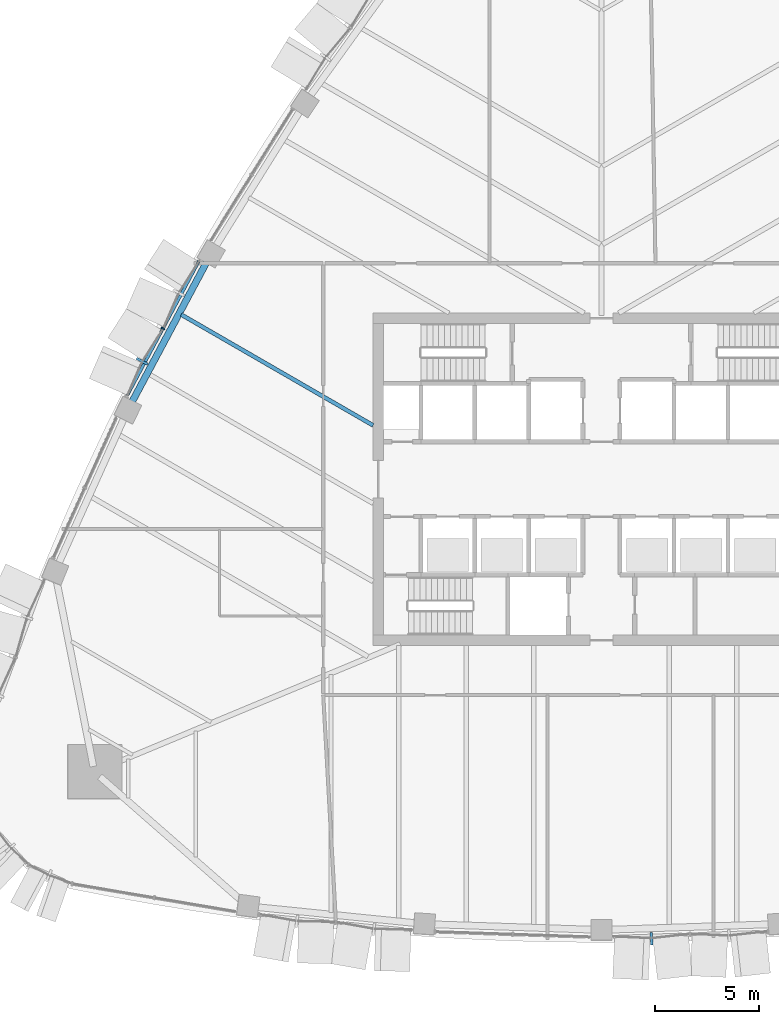
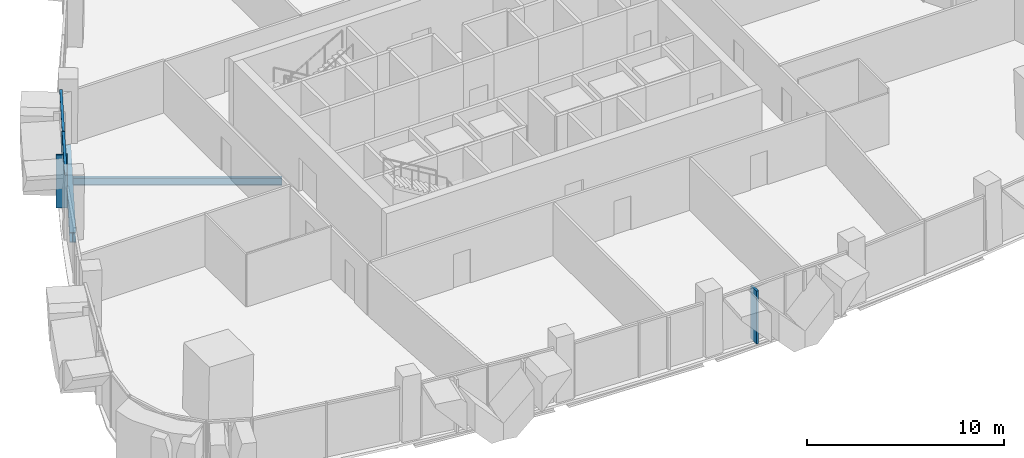
# One storey, part 3 of 17: 5 members, 2 beams, 2 elements without a shape of their own.
"""IFC4 building model written with IfcOpenShell, lengths in metres."""

from ifc_helpers import new_model, si_unit, direction, frame, origin, origin_2d, place, context, subcontext, project, spatial, rectangle, i_section, extrude, material, layer, layer_set, material_profile, profile_set, type_object, element, aggregate, save


model = new_model("IFC4")

# Units and contexts
model_context = context("Model", 3, precision=1e-05, world=origin(), true_north=direction((0.0, 1.0)))
body_context = subcontext(model_context, "Body", "Model", "MODEL_VIEW")
ifc_project = project(units=[si_unit("LENGTHUNIT", "METRE"), si_unit("AREAUNIT", "SQUARE_METRE"), si_unit("VOLUMEUNIT", "CUBIC_METRE"), si_unit("PLANEANGLEUNIT", "RADIAN"), si_unit("MASSUNIT", "GRAM", prefix="KILO")], contexts=[model_context])

# Site, building, storey
site_placement = place(None, origin())
site = spatial("IfcSite", under=ifc_project, at=site_placement, CompositionType="ELEMENT")
building_placement = place(site_placement, origin())
building = spatial("IfcBuilding", under=site, at=building_placement, Name="Sierra Prisma Convention Tower", CompositionType="ELEMENT")
storey_placement = place(building_placement, frame((0.0, 0.0, 149.800048828125)))
storey = spatial("IfcBuildingStorey", under=building, at=storey_placement, Name="L32", CompositionType="ELEMENT", Elevation=149.800048828125)

# Curtain wall, member
ifc_material_1 = material(Name="Aluminium and glass curtain wall", Category="aluminium")
ifc_layer = layer(ifc_material_1, 0.179931640625)
ifc_layer_set = layer_set([ifc_layer], Name="CW-2 Faceted crystal curtain wall")
curtain_wall_type = type_object("IfcCurtainWallType", Name="CW-2 Faceted crystal curtain wall", PredefinedType="NOTDEFINED", material=ifc_layer_set)
curtain_wall_1_placement = place(storey_placement, origin())
curtain_wall_1 = element("IfcCurtainWall", 1, at=curtain_wall_1_placement, inside=storey, type_object=curtain_wall_type, Name="CW-2 S4 L32", PredefinedType="NOTDEFINED")
ifc_material_2 = material(Name="Aluminium 6063-T6 bronze anodised", Category="aluminium")
ifc_material_profile_1 = material_profile(ifc_material_2, rectangle(XDim=0.1201171875, YDim=0.60009765625, at=origin_2d()), Name="ALU RIDGE BLADE 120x600")
ifc_profile_set_1 = profile_set([ifc_material_profile_1], Name="Aluminium 6063-T6 bronze anodised")
member_type_1 = type_object("IfcMemberType", Name="CW hip bronze", PredefinedType="MULLION", material=ifc_profile_set_1)
member_1_placement = place(storey_placement, frame((2.40869140625, -22.125, 0.0), z_axis=(0.0, 0.0, 1.0), x_axis=(0.999435932187, 0.033582993519, 0.0)))
member_1 = element("IfcMember", 2, at=member_1_placement, type_object=member_type_1, Name="CW-2 ridge S4.1", PredefinedType="MULLION", context=body_context, shape_type="SweptSolid", body=[
    extrude(rectangle(XDim=0.1201171875, YDim=0.60009765625, at=origin_2d()), origin(), (0.0, 0.0, 1.0), 3.280029296875),
])
aggregate(curtain_wall_1, [member_1])

# Curtain wall, members
curtain_wall_2_placement = place(storey_placement, origin())
curtain_wall_2 = element("IfcCurtainWall", 3, at=curtain_wall_2_placement, inside=storey, type_object=curtain_wall_type, Name="CW-2 NW4 L32", PredefinedType="NOTDEFINED")
member_2_placement = place(storey_placement, frame((-22.12548828125, 5.676513671875, 0.0), z_axis=(0.0, 0.0, 1.0), x_axis=(-0.470634240571, -0.882328403488, 0.0)))
member_2 = element("IfcMember", 4, at=member_2_placement, type_object=member_type_1, Name="CW-2 ridge NW4.2", PredefinedType="MULLION", context=body_context, shape_type="SweptSolid", body=[
    extrude(rectangle(XDim=0.1201171875, YDim=0.60009765625, at=origin_2d()), origin(), (0.0, 0.0, 1.0), 3.280029296875),
])
ifc_material_3 = material(Name="Aluminium 6063-T6 bronze anodised", Category="aluminium")
ifc_material_profile_2 = material_profile(ifc_material_3, rectangle(XDim=0.179931640625, YDim=0.070068359375, at=origin_2d()), Name="ALU MULLION 70x180")
ifc_profile_set_2 = profile_set([ifc_material_profile_2], Name="Aluminium 6063-T6 bronze anodised")
member_type_2 = type_object("IfcMemberType", Name="CW mullion bronze", PredefinedType="MULLION", material=ifc_profile_set_2)
member_3_placement = place(storey_placement, frame((-21.117919921875, 7.258544921875, 0.0), z_axis=(0.0, 0.0, 1.0), x_axis=(0.882328403488, -0.470634240571, 0.0)))
member_3 = element("IfcMember", 5, at=member_3_placement, type_object=member_type_2, Name="CW-1 mullion NW4.2", PredefinedType="MULLION", context=body_context, shape_type="SweptSolid", body=[
    extrude(rectangle(XDim=0.179931640625, YDim=0.070068359375, at=origin_2d()), origin(), (0.0, 0.0, 1.0), 3.39990234375),
])
ifc_material_4 = material(Name="Aluminium 6063-T6 bronze anodised", Category="aluminium")
ifc_material_profile_3 = material_profile(ifc_material_4, rectangle(XDim=0.139892578125, YDim=0.1201171875, at=origin_2d()), Name="ALU TRANSOM 120x140")
ifc_profile_set_3 = profile_set([ifc_material_profile_3], Name="Aluminium 6063-T6 bronze anodised")
member_type_3 = type_object("IfcMemberType", Name="CW transom bronze", PredefinedType="USERDEFINED", material=ifc_profile_set_3)
member_4_placement = place(storey_placement, frame((-19.3740234375, 10.52783203125, 3.33984375), z_axis=(-0.470633118815, -0.882329001832, 0.0), x_axis=(0.882329001832, -0.470633118815, 0.0)))
member_4 = element("IfcMember", 6, at=member_4_placement, type_object=member_type_3, Name="CW-1 transom NW4.1", ObjectType="TRANSOM", PredefinedType="USERDEFINED", context=body_context, shape_type="SweptSolid", body=[
    extrude(rectangle(XDim=0.139892578125, YDim=0.1201171875, at=origin_2d()), origin(), (0.0, 0.0, 1.0), 3.670166015625),
])
member_5_placement = place(storey_placement, frame((-21.13427734375, 7.227783203125, 3.33984375), z_axis=(-0.470605497318, -0.882343734547, 0.0), x_axis=(0.882343734547, -0.470605497318, 0.0)))
member_5 = element("IfcMember", 7, at=member_5_placement, type_object=member_type_3, Name="CW-1 transom NW4.2", ObjectType="TRANSOM", PredefinedType="USERDEFINED", context=body_context, shape_type="SweptSolid", body=[
    extrude(rectangle(XDim=0.139892578125, YDim=0.1201171875, at=origin_2d()), origin(), (0.0, 0.0, 1.0), 3.67041015625),
])
aggregate(curtain_wall_2, [member_3, member_4, member_5, member_2])

# Beams
ifc_material_5 = material(Name="Steel ASTM A992 Gr 50", Category="steel")
ifc_material_profile_4 = material_profile(ifc_material_5, i_section(OverallWidth=0.18994140625, OverallDepth=0.45703125, WebThickness=0.009033203125, FlangeThickness=0.014404296875, at=origin_2d()), Name="W460x74")
ifc_profile_set_4 = profile_set([ifc_material_profile_4], Name="Steel ASTM A992 Gr 50")
beam_type_1 = type_object("IfcBeamType", Name="Floor joist W460x74", PredefinedType="JOIST", material=ifc_profile_set_4)
beam_1_placement = place(storey_placement, frame((-20.23828125, 7.9248046875, -0.378662109375), z_axis=(0.866024751559, -0.500001129686, 0.0), x_axis=(0.500001129686, 0.866024751559, 0.0)))
element("IfcBeam", 8, at=beam_1_placement, inside=storey, type_object=beam_type_1, Name="Floor joist L32 NW09", PredefinedType="JOIST", context=body_context, shape_type="SweptSolid", body=[
    extrude(i_section(OverallWidth=0.18994140625, OverallDepth=0.45703125, WebThickness=0.009033203125, FlangeThickness=0.014404296875, at=origin_2d()), origin(), (0.0, 0.0, 1.0), 10.66748046875),
])
ifc_material_6 = material(Name="Steel ASTM A992 Gr 50", Category="steel")
ifc_material_profile_5 = material_profile(ifc_material_6, i_section(OverallWidth=0.324951171875, OverallDepth=0.615966796875, WebThickness=0.013916015625, FlangeThickness=0.021484375, at=origin_2d()), Name="W610x174")
ifc_profile_set_5 = profile_set([ifc_material_profile_5], Name="Steel ASTM A992 Gr 50")
beam_type_2 = type_object("IfcBeamType", Name="Spandrel beam W610x174", PredefinedType="BEAM", material=ifc_profile_set_5)
beam_2_placement = place(storey_placement, frame((-18.981689453125, 10.520263671875, -0.4580078125), z_axis=(-0.470609411499, -0.882341646874, 0.0), x_axis=(0.882341646874, -0.470609411499, 0.0)))
element("IfcBeam", 9, at=beam_2_placement, inside=storey, type_object=beam_type_2, Name="Spandrel L32-16", PredefinedType="BEAM", context=body_context, shape_type="SweptSolid", body=[
    extrude(i_section(OverallWidth=0.324951171875, OverallDepth=0.615966796875, WebThickness=0.013916015625, FlangeThickness=0.021484375, at=origin_2d()), origin(), (0.0, 0.0, 1.0), 7.779052734375),
])

save(model, "model.ifc")
